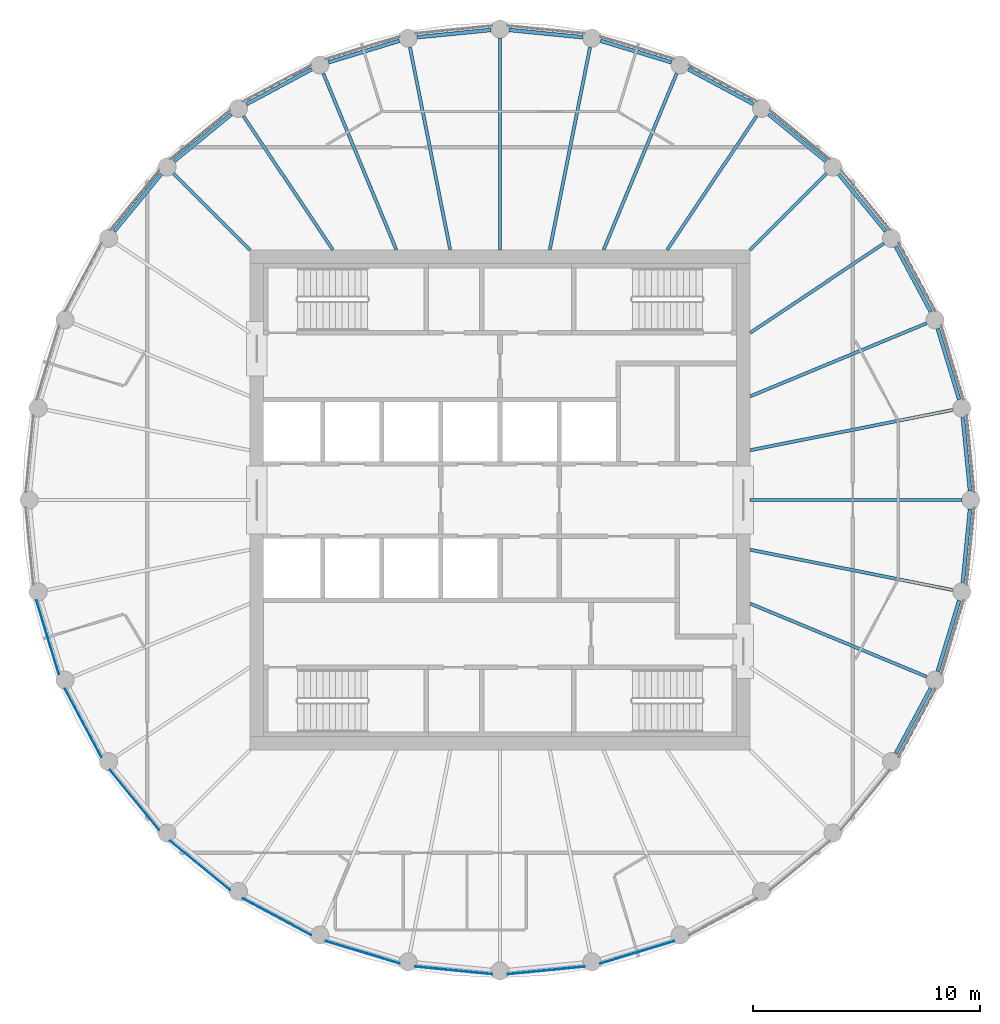
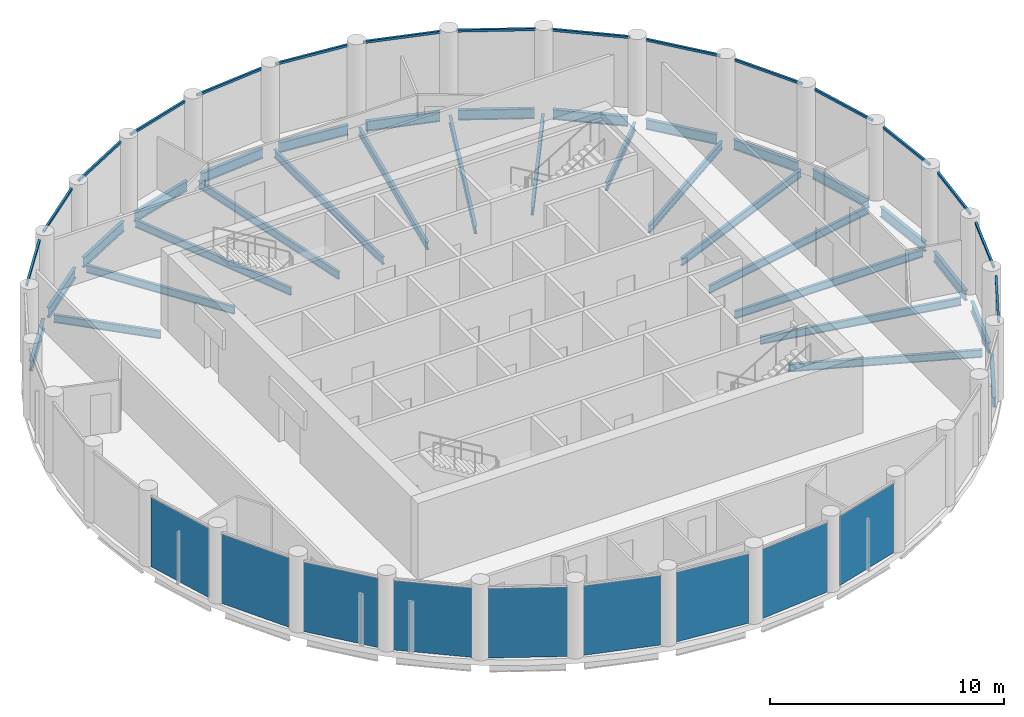
# One storey, part 2 of 7: 31 beams, 16 members, 9 plates, 25 elements without a shape of their own.
"""IFC4 building model written with IfcOpenShell, lengths in metres."""

from ifc_helpers import new_model, si_unit, direction, frame, origin, origin_2d, place, context, subcontext, project, spatial, rectangle, i_section, extrude, material, layer, layer_set, material_profile, profile_set, type_object, element, aggregate, save


model = new_model("IFC4")

# Units and contexts
model_context = context("Model", 3, precision=1e-05, world=origin(), true_north=direction((0.0, 1.0)))
body_context = subcontext(model_context, "Body", "Model", "MODEL_VIEW")
ifc_project = project(units=[si_unit("LENGTHUNIT", "METRE"), si_unit("AREAUNIT", "SQUARE_METRE"), si_unit("VOLUMEUNIT", "CUBIC_METRE"), si_unit("PLANEANGLEUNIT", "RADIAN"), si_unit("MASSUNIT", "GRAM", prefix="KILO")], contexts=[model_context])

# Site, building, storey
site_placement = place(None, origin())
site = spatial("IfcSite", under=ifc_project, at=site_placement, CompositionType="ELEMENT")
building_placement = place(site_placement, origin())
building = spatial("IfcBuilding", under=site, at=building_placement, Name="Corvane Civic Tower", CompositionType="ELEMENT")
storey_placement = place(building_placement, frame((0.0, 0.0, 372.5)))
storey = spatial("IfcBuildingStorey", under=building, at=storey_placement, Name="L89", CompositionType="ELEMENT", Elevation=372.5)

# Beams
ifc_material_1 = material(Name="Steel ASTM A992 Gr 50", Category="steel")
ifc_material_profile_1 = material_profile(ifc_material_1, i_section(OverallWidth=0.165771484375, OverallDepth=0.5283203125, WebThickness=0.009765625, FlangeThickness=0.013671875, at=origin_2d()), Name="W21X50")
ifc_profile_set_1 = profile_set([ifc_material_profile_1], Name="Steel ASTM A992 Gr 50")
beam_type_1 = type_object("IfcBeamType", Name="EDGE BEAM W21X50", PredefinedType="BEAM", material=ifc_profile_set_1)
beam_1_placement = place(storey_placement, frame((0.39794921875, 20.66064453125, -0.564208984375), z_axis=(0.995192503142, -0.097938152369, 0.0), x_axis=(0.097938152369, 0.995192503142, 0.0)))
element("IfcBeam", 1, at=beam_1_placement, inside=storey, type_object=beam_type_1, Name="BM-L89-E01", PredefinedType="BEAM", context=body_context, shape_type="SweptSolid", body=[
    extrude(i_section(OverallWidth=0.165771484375, OverallDepth=0.5283203125, WebThickness=0.009765625, FlangeThickness=0.013671875, at=origin_2d()), origin(), (0.0, 0.0, 1.0), 3.258056640625),
])
for number, where, z_axis, x_axis, name in (
    (2, (4.421142578125, 20.18603515625, -0.564208984375), (0.956955679349, -0.290234091317, 0.0), (0.290234091317, 0.956955679349, 0.0), "BM-L89-E02"),
    (3, (8.2744140625, 18.935791015625, -0.564208984375), (0.881894065907, -0.471447618, 0.0), (0.471447618, 0.881894065907, 0.0), "BM-L89-E03"),
    (4, (11.8095703125, 16.957763671875, -0.564208984375), (0.772984791903, -0.634424551454, 0.0), (0.634424551454, 0.772984791903, 0.0), "BM-L89-E04"),
    (5, (14.890869140625, 14.327880859375, -0.564208984375), (0.634424551454, -0.772984791903, 0.0), (0.772984791903, 0.634424551454, 0.0), "BM-L89-E05"),
    (6, (17.39990234375, 11.1474609375, -0.564208984375), (0.471447618, -0.881894065907, 0.0), (0.881894065907, 0.471447618, 0.0), "BM-L89-E06"),
    (7, (19.240478515625, 7.538818359375, -0.564208984375), (0.290234091317, -0.956955679349, 0.0), (0.956955679349, 0.290234091317, 0.0), "BM-L89-E07"),
):
    element("IfcBeam", number, at=place(storey_placement, frame(where, z_axis=z_axis, x_axis=x_axis)), inside=storey, type_object=beam_type_1, Name=name, PredefinedType="BEAM", context=body_context, shape_type="SweptSolid", body=[
        extrude(i_section(OverallWidth=0.165771484375, OverallDepth=0.5283203125, WebThickness=0.009765625, FlangeThickness=0.013671875, at=origin_2d()), origin(), (0.0, 0.0, 1.0), 3.2578125),
    ])
for number, where, z_axis, x_axis, name in (
    (8, (20.341552734375, 3.640380859375, -0.564208984375), (0.097938152369, -0.995192503142, 0.0), (0.995192503142, 0.097938152369, 0.0), "BM-L89-E08"),
    (9, (20.66064453125, -0.39794921875, -0.564208984375), (-0.097938152369, -0.995192503142, 0.0), (0.995192503142, -0.097938152369, 0.0), "BM-L89-E09"),
):
    element("IfcBeam", number, at=place(storey_placement, frame(where, z_axis=z_axis, x_axis=x_axis)), inside=storey, type_object=beam_type_1, Name=name, PredefinedType="BEAM", context=body_context, shape_type="SweptSolid", body=[
        extrude(i_section(OverallWidth=0.165771484375, OverallDepth=0.5283203125, WebThickness=0.009765625, FlangeThickness=0.013671875, at=origin_2d()), origin(), (0.0, 0.0, 1.0), 3.258056640625),
    ])
for number, where, z_axis, x_axis, name in (
    (10, (20.18603515625, -4.421142578125, -0.564208984375), (-0.290234091317, -0.956955679349, 0.0), (0.956955679349, -0.290234091317, 0.0), "BM-L89-E10"),
    (11, (18.935791015625, -8.2744140625, -0.564208984375), (-0.471447618, -0.881894065907, 0.0), (0.881894065907, -0.471447618, 0.0), "BM-L89-E11"),
    (12, (-16.957763671875, 11.8095703125, -0.564208984375), (0.634424551454, 0.772984791903, 0.0), (-0.772984791903, 0.634424551454, 0.0), "BM-L89-E28"),
    (13, (-14.327880859375, 14.890869140625, -0.564208984375), (0.772984791903, 0.634424551454, 0.0), (-0.634424551454, 0.772984791903, 0.0), "BM-L89-E29"),
    (14, (-11.1474609375, 17.39990234375, -0.564208984375), (0.881894065907, 0.471447618, 0.0), (-0.471447618, 0.881894065907, 0.0), "BM-L89-E30"),
    (15, (-7.538818359375, 19.240478515625, -0.564208984375), (0.956955679349, 0.290234091317, 0.0), (-0.290234091317, 0.956955679349, 0.0), "BM-L89-E31"),
):
    element("IfcBeam", number, at=place(storey_placement, frame(where, z_axis=z_axis, x_axis=x_axis)), inside=storey, type_object=beam_type_1, Name=name, PredefinedType="BEAM", context=body_context, shape_type="SweptSolid", body=[
        extrude(i_section(OverallWidth=0.165771484375, OverallDepth=0.5283203125, WebThickness=0.009765625, FlangeThickness=0.013671875, at=origin_2d()), origin(), (0.0, 0.0, 1.0), 3.2578125),
    ])
beam_2_placement = place(storey_placement, frame((-3.640380859375, 20.341552734375, -0.564208984375), z_axis=(0.995192503142, 0.097938152369, 0.0), x_axis=(-0.097938152369, 0.995192503142, 0.0)))
element("IfcBeam", 16, at=beam_2_placement, inside=storey, type_object=beam_type_1, Name="BM-L89-E32", PredefinedType="BEAM", context=body_context, shape_type="SweptSolid", body=[
    extrude(i_section(OverallWidth=0.165771484375, OverallDepth=0.5283203125, WebThickness=0.009765625, FlangeThickness=0.013671875, at=origin_2d()), origin(), (0.0, 0.0, 1.0), 3.258056640625),
])
ifc_material_2 = material(Name="Steel ASTM A992 Gr 50", Category="steel")
ifc_material_profile_2 = material_profile(ifc_material_2, i_section(OverallWidth=0.140380859375, OverallDepth=0.40380859375, WebThickness=0.007080078125, FlangeThickness=0.01123046875, at=origin_2d()), Name="W16X31")
ifc_profile_set_2 = profile_set([ifc_material_profile_2], Name="Steel ASTM A992 Gr 50")
beam_type_2 = type_object("IfcBeamType", Name="FLOOR GIRDER W16X31", PredefinedType="BEAM", material=ifc_profile_set_2)
beam_3_placement = place(storey_placement, frame((0.0, 11.0, -0.501953125), z_axis=(0.0, 1.0, 0.0), x_axis=(-1.0, 0.0, 0.0)))
element("IfcBeam", 17, at=beam_3_placement, inside=storey, type_object=beam_type_2, Name="BM-L89-G01", PredefinedType="BEAM", context=body_context, shape_type="SweptSolid", body=[
    extrude(i_section(OverallWidth=0.140380859375, OverallDepth=0.40380859375, WebThickness=0.007080078125, FlangeThickness=0.01123046875, at=origin_2d()), origin(), (0.0, 0.0, 1.0), 9.300048828125),
])
beam_4_placement = place(storey_placement, frame((2.18798828125, 11.0, -0.501953125), z_axis=(0.195108241061, 0.980781715913, 0.0), x_axis=(-0.980781715913, 0.195108241061, 0.0)))
element("IfcBeam", 18, at=beam_4_placement, inside=storey, type_object=beam_type_2, Name="BM-L89-G02", PredefinedType="BEAM", context=body_context, shape_type="SweptSolid", body=[
    extrude(i_section(OverallWidth=0.140380859375, OverallDepth=0.40380859375, WebThickness=0.007080078125, FlangeThickness=0.01123046875, at=origin_2d()), origin(), (0.0, 0.0, 1.0), 9.08447265625),
])
beam_5_placement = place(storey_placement, frame((4.556396484375, 11.0, -0.501953125), z_axis=(0.382691739894, 0.923876091377, 0.0), x_axis=(-0.923876091377, 0.382691739894, 0.0)))
element("IfcBeam", 19, at=beam_5_placement, inside=storey, type_object=beam_type_2, Name="BM-L89-G03", PredefinedType="BEAM", context=body_context, shape_type="SweptSolid", body=[
    extrude(i_section(OverallWidth=0.140380859375, OverallDepth=0.40380859375, WebThickness=0.007080078125, FlangeThickness=0.01123046875, at=origin_2d()), origin(), (0.0, 0.0, 1.0), 8.3935546875),
])
beam_6_placement = place(storey_placement, frame((7.349853515625, 11.0, -0.501953125), z_axis=(0.555576401385, 0.831465490699, 0.0), x_axis=(-0.831465490699, 0.555576401385, 0.0)))
element("IfcBeam", 20, at=beam_6_placement, inside=storey, type_object=beam_type_2, Name="BM-L89-G04", PredefinedType="BEAM", context=body_context, shape_type="SweptSolid", body=[
    extrude(i_section(OverallWidth=0.140380859375, OverallDepth=0.40380859375, WebThickness=0.007080078125, FlangeThickness=0.01123046875, at=origin_2d()), origin(), (0.0, 0.0, 1.0), 7.070556640625),
])
beam_7_placement = place(storey_placement, frame((11.0, 11.0, -0.501953125), z_axis=(0.707106781187, 0.707106781187, 0.0), x_axis=(-0.707106781187, 0.707106781187, 0.0)))
element("IfcBeam", 21, at=beam_7_placement, inside=storey, type_object=beam_type_2, Name="BM-L89-G05", PredefinedType="BEAM", context=body_context, shape_type="SweptSolid", body=[
    extrude(i_section(OverallWidth=0.140380859375, OverallDepth=0.40380859375, WebThickness=0.007080078125, FlangeThickness=0.01123046875, at=origin_2d()), origin(), (0.0, 0.0, 1.0), 4.74365234375),
])
beam_8_placement = place(storey_placement, frame((11.0, 7.349853515625, -0.501953125), z_axis=(0.831465490699, 0.555576401385, 0.0), x_axis=(-0.555576401385, 0.831465490699, 0.0)))
element("IfcBeam", 22, at=beam_8_placement, inside=storey, type_object=beam_type_2, Name="BM-L89-G06", PredefinedType="BEAM", context=body_context, shape_type="SweptSolid", body=[
    extrude(i_section(OverallWidth=0.140380859375, OverallDepth=0.40380859375, WebThickness=0.007080078125, FlangeThickness=0.01123046875, at=origin_2d()), origin(), (0.0, 0.0, 1.0), 7.070556640625),
])
beam_9_placement = place(storey_placement, frame((11.0, 4.556396484375, -0.501953125), z_axis=(0.923876091377, 0.382691739894, 0.0), x_axis=(-0.382691739894, 0.923876091377, 0.0)))
element("IfcBeam", 23, at=beam_9_placement, inside=storey, type_object=beam_type_2, Name="BM-L89-G07", PredefinedType="BEAM", context=body_context, shape_type="SweptSolid", body=[
    extrude(i_section(OverallWidth=0.140380859375, OverallDepth=0.40380859375, WebThickness=0.007080078125, FlangeThickness=0.01123046875, at=origin_2d()), origin(), (0.0, 0.0, 1.0), 8.3935546875),
])
beam_10_placement = place(storey_placement, frame((11.0, 2.18798828125, -0.501953125), z_axis=(0.980781715913, 0.195108241061, 0.0), x_axis=(-0.195108241061, 0.980781715913, 0.0)))
element("IfcBeam", 24, at=beam_10_placement, inside=storey, type_object=beam_type_2, Name="BM-L89-G08", PredefinedType="BEAM", context=body_context, shape_type="SweptSolid", body=[
    extrude(i_section(OverallWidth=0.140380859375, OverallDepth=0.40380859375, WebThickness=0.007080078125, FlangeThickness=0.01123046875, at=origin_2d()), origin(), (0.0, 0.0, 1.0), 9.08447265625),
])
beam_11_placement = place(storey_placement, frame((11.0, 0.0, -0.501953125), z_axis=(1.0, 0.0, 0.0), x_axis=(0.0, 1.0, 0.0)))
element("IfcBeam", 25, at=beam_11_placement, inside=storey, type_object=beam_type_2, Name="BM-L89-G09", PredefinedType="BEAM", context=body_context, shape_type="SweptSolid", body=[
    extrude(i_section(OverallWidth=0.140380859375, OverallDepth=0.40380859375, WebThickness=0.007080078125, FlangeThickness=0.01123046875, at=origin_2d()), origin(), (0.0, 0.0, 1.0), 9.300048828125),
])
beam_12_placement = place(storey_placement, frame((11.0, -2.18798828125, -0.501953125), z_axis=(0.980781715913, -0.195108241061, 0.0), x_axis=(0.195108241061, 0.980781715913, 0.0)))
element("IfcBeam", 26, at=beam_12_placement, inside=storey, type_object=beam_type_2, Name="BM-L89-G10", PredefinedType="BEAM", context=body_context, shape_type="SweptSolid", body=[
    extrude(i_section(OverallWidth=0.140380859375, OverallDepth=0.40380859375, WebThickness=0.007080078125, FlangeThickness=0.01123046875, at=origin_2d()), origin(), (0.0, 0.0, 1.0), 9.08447265625),
])
beam_13_placement = place(storey_placement, frame((11.0, -4.556396484375, -0.501953125), z_axis=(0.923876091377, -0.382691739894, 0.0), x_axis=(0.382691739894, 0.923876091377, 0.0)))
element("IfcBeam", 27, at=beam_13_placement, inside=storey, type_object=beam_type_2, Name="BM-L89-G11", PredefinedType="BEAM", context=body_context, shape_type="SweptSolid", body=[
    extrude(i_section(OverallWidth=0.140380859375, OverallDepth=0.40380859375, WebThickness=0.007080078125, FlangeThickness=0.01123046875, at=origin_2d()), origin(), (0.0, 0.0, 1.0), 8.3935546875),
])
beam_14_placement = place(storey_placement, frame((-11.0, 11.0, -0.501953125), z_axis=(-0.707106781187, 0.707106781187, 0.0), x_axis=(-0.707106781187, -0.707106781187, 0.0)))
element("IfcBeam", 28, at=beam_14_placement, inside=storey, type_object=beam_type_2, Name="BM-L89-G29", PredefinedType="BEAM", context=body_context, shape_type="SweptSolid", body=[
    extrude(i_section(OverallWidth=0.140380859375, OverallDepth=0.40380859375, WebThickness=0.007080078125, FlangeThickness=0.01123046875, at=origin_2d()), origin(), (0.0, 0.0, 1.0), 4.74365234375),
])
beam_15_placement = place(storey_placement, frame((-7.349853515625, 11.0, -0.501953125), z_axis=(-0.555576401385, 0.831465490699, 0.0), x_axis=(-0.831465490699, -0.555576401385, 0.0)))
element("IfcBeam", 29, at=beam_15_placement, inside=storey, type_object=beam_type_2, Name="BM-L89-G30", PredefinedType="BEAM", context=body_context, shape_type="SweptSolid", body=[
    extrude(i_section(OverallWidth=0.140380859375, OverallDepth=0.40380859375, WebThickness=0.007080078125, FlangeThickness=0.01123046875, at=origin_2d()), origin(), (0.0, 0.0, 1.0), 7.070556640625),
])
beam_16_placement = place(storey_placement, frame((-4.556396484375, 11.0, -0.501953125), z_axis=(-0.382691739894, 0.923876091377, 0.0), x_axis=(-0.923876091377, -0.382691739894, 0.0)))
element("IfcBeam", 30, at=beam_16_placement, inside=storey, type_object=beam_type_2, Name="BM-L89-G31", PredefinedType="BEAM", context=body_context, shape_type="SweptSolid", body=[
    extrude(i_section(OverallWidth=0.140380859375, OverallDepth=0.40380859375, WebThickness=0.007080078125, FlangeThickness=0.01123046875, at=origin_2d()), origin(), (0.0, 0.0, 1.0), 8.3935546875),
])
beam_17_placement = place(storey_placement, frame((-2.18798828125, 11.0, -0.501953125), z_axis=(-0.195108241061, 0.980781715913, 0.0), x_axis=(-0.980781715913, -0.195108241061, 0.0)))
element("IfcBeam", 31, at=beam_17_placement, inside=storey, type_object=beam_type_2, Name="BM-L89-G32", PredefinedType="BEAM", context=body_context, shape_type="SweptSolid", body=[
    extrude(i_section(OverallWidth=0.140380859375, OverallDepth=0.40380859375, WebThickness=0.007080078125, FlangeThickness=0.01123046875, at=origin_2d()), origin(), (0.0, 0.0, 1.0), 9.08447265625),
])

# Curtain wall, member
ifc_material_3 = material(Name="Anodised aluminium bronze", Category="aluminium")
curtain_wall_type = type_object("IfcCurtainWallType", Name="TOWER CW-T3 STICK CURTAIN WALL", PredefinedType="NOTDEFINED", material=ifc_material_3)
curtain_wall_1_placement = place(storey_placement, origin())
curtain_wall_1 = element("IfcCurtainWall", 32, at=curtain_wall_1_placement, inside=storey, type_object=curtain_wall_type, Name="Curtain wall CW-T3 L89 bay 01", PredefinedType="NOTDEFINED")
ifc_material_4 = material(Name="Anodised aluminium bronze", Category="aluminium")
ifc_material_profile_3 = material_profile(ifc_material_4, rectangle(XDim=0.10009765625, YDim=0.1201171875, at=origin_2d()), Name="TOWER CW-T3 TRANSOM 100x120")
ifc_profile_set_3 = profile_set([ifc_material_profile_3], Name="Anodised aluminium bronze")
member_type = type_object("IfcMemberType", Name="TOWER CW-T3 TRANSOM 100x120", PredefinedType="USERDEFINED", material=ifc_profile_set_3)
member_1_placement = place(storey_placement, frame((0.34375, 20.845947265625, 3.68994140625), z_axis=(0.995191564676, -0.097947688066, 0.0), x_axis=(0.097947688066, 0.995191564676, 0.0)))
member_1 = element("IfcMember", 33, at=member_1_placement, type_object=member_type, Name="Transom CW-T3 L89 01.1", ObjectType="TRANSOM", PredefinedType="USERDEFINED", context=body_context, shape_type="SweptSolid", body=[
    extrude(rectangle(XDim=0.10009765625, YDim=0.1201171875, at=origin_2d()), origin(), (0.0, 0.0, 1.0), 3.40234375),
])
aggregate(curtain_wall_1, [member_1])

curtain_wall_2_placement = place(storey_placement, origin())
curtain_wall_2 = element("IfcCurtainWall", 34, at=curtain_wall_2_placement, inside=storey, type_object=curtain_wall_type, Name="Curtain wall CW-T3 L89 bay 02", PredefinedType="NOTDEFINED")
member_2_placement = place(storey_placement, frame((4.40380859375, 20.37841796875, 3.68994140625), z_axis=(0.956961022204, -0.290216474345, 0.0), x_axis=(0.290216474345, 0.956961022204, 0.0)))
member_2 = element("IfcMember", 35, at=member_2_placement, type_object=member_type, Name="Transom CW-T3 L89 02.1", ObjectType="TRANSOM", PredefinedType="USERDEFINED", context=body_context, shape_type="SweptSolid", body=[
    extrude(rectangle(XDim=0.10009765625, YDim=0.1201171875, at=origin_2d()), origin(), (0.0, 0.0, 1.0), 3.40283203125),
])
aggregate(curtain_wall_2, [member_2])

curtain_wall_3_placement = place(storey_placement, origin())
curtain_wall_3 = element("IfcCurtainWall", 36, at=curtain_wall_3_placement, inside=storey, type_object=curtain_wall_type, Name="Curtain wall CW-T3 L89 bay 03", PredefinedType="NOTDEFINED")
member_3_placement = place(storey_placement, frame((8.294921875, 19.127685546875, 3.68994140625), z_axis=(0.881941440444, -0.471358988063, 0.0), x_axis=(0.471358988063, 0.881941440444, 0.0)))
member_3 = element("IfcMember", 37, at=member_3_placement, type_object=member_type, Name="Transom CW-T3 L89 03.1", ObjectType="TRANSOM", PredefinedType="USERDEFINED", context=body_context, shape_type="SweptSolid", body=[
    extrude(rectangle(XDim=0.10009765625, YDim=0.1201171875, at=origin_2d()), origin(), (0.0, 0.0, 1.0), 3.40234375),
])
aggregate(curtain_wall_3, [member_3])

curtain_wall_4_placement = place(storey_placement, origin())
curtain_wall_4 = element("IfcCurtainWall", 38, at=curtain_wall_4_placement, inside=storey, type_object=curtain_wall_type, Name="Curtain wall CW-T3 L89 bay 04", PredefinedType="NOTDEFINED")
member_4_placement = place(storey_placement, frame((11.8671875, 17.14208984375, 3.68994140625), z_axis=(0.773010217358, -0.634393571736, 0.0), x_axis=(0.634393571736, 0.773010217358, 0.0)))
member_4 = element("IfcMember", 39, at=member_4_placement, type_object=member_type, Name="Transom CW-T3 L89 04.1", ObjectType="TRANSOM", PredefinedType="USERDEFINED", context=body_context, shape_type="SweptSolid", body=[
    extrude(rectangle(XDim=0.10009765625, YDim=0.1201171875, at=origin_2d()), origin(), (0.0, 0.0, 1.0), 3.40283203125),
])
aggregate(curtain_wall_4, [member_4])

curtain_wall_5_placement = place(storey_placement, origin())
curtain_wall_5 = element("IfcCurtainWall", 40, at=curtain_wall_5_placement, inside=storey, type_object=curtain_wall_type, Name="Curtain wall CW-T3 L89 bay 05", PredefinedType="NOTDEFINED")
member_5_placement = place(storey_placement, frame((14.9833984375, 14.49755859375, 3.68994140625), z_axis=(0.634393571736, -0.773010217358, 0.0), x_axis=(0.773010217358, 0.634393571736, 0.0)))
member_5 = element("IfcMember", 41, at=member_5_placement, type_object=member_type, Name="Transom CW-T3 L89 05.1", ObjectType="TRANSOM", PredefinedType="USERDEFINED", context=body_context, shape_type="SweptSolid", body=[
    extrude(rectangle(XDim=0.10009765625, YDim=0.1201171875, at=origin_2d()), origin(), (0.0, 0.0, 1.0), 3.40283203125),
])
aggregate(curtain_wall_5, [member_5])

curtain_wall_6_placement = place(storey_placement, origin())
curtain_wall_6 = element("IfcCurtainWall", 42, at=curtain_wall_6_placement, inside=storey, type_object=curtain_wall_type, Name="Curtain wall CW-T3 L89 bay 06", PredefinedType="NOTDEFINED")
member_6_placement = place(storey_placement, frame((17.52392578125, 11.295654296875, 3.68994140625), z_axis=(0.471358988063, -0.881941440444, 0.0), x_axis=(0.881941440444, 0.471358988063, 0.0)))
member_6 = element("IfcMember", 43, at=member_6_placement, type_object=member_type, Name="Transom CW-T3 L89 06.1", ObjectType="TRANSOM", PredefinedType="USERDEFINED", context=body_context, shape_type="SweptSolid", body=[
    extrude(rectangle(XDim=0.10009765625, YDim=0.1201171875, at=origin_2d()), origin(), (0.0, 0.0, 1.0), 3.40234375),
])
aggregate(curtain_wall_6, [member_6])

curtain_wall_7_placement = place(storey_placement, origin())
curtain_wall_7 = element("IfcCurtainWall", 44, at=curtain_wall_7_placement, inside=storey, type_object=curtain_wall_type, Name="Curtain wall CW-T3 L89 bay 07", PredefinedType="NOTDEFINED")
member_7_placement = place(storey_placement, frame((19.390869140625, 7.66015625, 3.68994140625), z_axis=(0.290216474345, -0.956961022204, 0.0), x_axis=(0.956961022204, 0.290216474345, 0.0)))
member_7 = element("IfcMember", 45, at=member_7_placement, type_object=member_type, Name="Transom CW-T3 L89 07.1", ObjectType="TRANSOM", PredefinedType="USERDEFINED", context=body_context, shape_type="SweptSolid", body=[
    extrude(rectangle(XDim=0.10009765625, YDim=0.1201171875, at=origin_2d()), origin(), (0.0, 0.0, 1.0), 3.40283203125),
])
aggregate(curtain_wall_7, [member_7])

curtain_wall_8_placement = place(storey_placement, origin())
curtain_wall_8 = element("IfcCurtainWall", 46, at=curtain_wall_8_placement, inside=storey, type_object=curtain_wall_type, Name="Curtain wall CW-T3 L89 bay 08", PredefinedType="NOTDEFINED")
member_8_placement = place(storey_placement, frame((20.5126953125, 3.729736328125, 3.68994140625), z_axis=(0.097947688066, -0.995191564676, 0.0), x_axis=(0.995191564676, 0.097947688066, 0.0)))
member_8 = element("IfcMember", 47, at=member_8_placement, type_object=member_type, Name="Transom CW-T3 L89 08.1", ObjectType="TRANSOM", PredefinedType="USERDEFINED", context=body_context, shape_type="SweptSolid", body=[
    extrude(rectangle(XDim=0.10009765625, YDim=0.1201171875, at=origin_2d()), origin(), (0.0, 0.0, 1.0), 3.40234375),
])
aggregate(curtain_wall_8, [member_8])

curtain_wall_9_placement = place(storey_placement, origin())
curtain_wall_9 = element("IfcCurtainWall", 48, at=curtain_wall_9_placement, inside=storey, type_object=curtain_wall_type, Name="Curtain wall CW-T3 L89 bay 09", PredefinedType="NOTDEFINED")
member_9_placement = place(storey_placement, frame((20.845947265625, -0.34375, 3.68994140625), z_axis=(-0.097947688066, -0.995191564676, 0.0), x_axis=(0.995191564676, -0.097947688066, 0.0)))
member_9 = element("IfcMember", 49, at=member_9_placement, type_object=member_type, Name="Transom CW-T3 L89 09.1", ObjectType="TRANSOM", PredefinedType="USERDEFINED", context=body_context, shape_type="SweptSolid", body=[
    extrude(rectangle(XDim=0.10009765625, YDim=0.1201171875, at=origin_2d()), origin(), (0.0, 0.0, 1.0), 3.40234375),
])
aggregate(curtain_wall_9, [member_9])

curtain_wall_10_placement = place(storey_placement, origin())
curtain_wall_10 = element("IfcCurtainWall", 50, at=curtain_wall_10_placement, inside=storey, type_object=curtain_wall_type, Name="Curtain wall CW-T3 L89 bay 10", PredefinedType="NOTDEFINED")
member_10_placement = place(storey_placement, frame((20.37841796875, -4.40380859375, 3.68994140625), z_axis=(-0.290216474345, -0.956961022204, 0.0), x_axis=(0.956961022204, -0.290216474345, 0.0)))
member_10 = element("IfcMember", 51, at=member_10_placement, type_object=member_type, Name="Transom CW-T3 L89 10.1", ObjectType="TRANSOM", PredefinedType="USERDEFINED", context=body_context, shape_type="SweptSolid", body=[
    extrude(rectangle(XDim=0.10009765625, YDim=0.1201171875, at=origin_2d()), origin(), (0.0, 0.0, 1.0), 3.40283203125),
])
aggregate(curtain_wall_10, [member_10])

curtain_wall_11_placement = place(storey_placement, origin())
curtain_wall_11 = element("IfcCurtainWall", 52, at=curtain_wall_11_placement, inside=storey, type_object=curtain_wall_type, Name="Curtain wall CW-T3 L89 bay 11", PredefinedType="NOTDEFINED")
member_11_placement = place(storey_placement, frame((19.127685546875, -8.294921875, 3.68994140625), z_axis=(-0.471358988063, -0.881941440444, 0.0), x_axis=(0.881941440444, -0.471358988063, 0.0)))
member_11 = element("IfcMember", 53, at=member_11_placement, type_object=member_type, Name="Transom CW-T3 L89 11.1", ObjectType="TRANSOM", PredefinedType="USERDEFINED", context=body_context, shape_type="SweptSolid", body=[
    extrude(rectangle(XDim=0.10009765625, YDim=0.1201171875, at=origin_2d()), origin(), (0.0, 0.0, 1.0), 3.40234375),
])
aggregate(curtain_wall_11, [member_11])

curtain_wall_12_placement = place(storey_placement, origin())
curtain_wall_12 = element("IfcCurtainWall", 54, at=curtain_wall_12_placement, inside=storey, type_object=curtain_wall_type, Name="Curtain wall CW-T3 L89 bay 28", PredefinedType="NOTDEFINED")
member_12_placement = place(storey_placement, frame((-17.14208984375, 11.8671875, 3.68994140625), z_axis=(0.634393571736, 0.773010217358, 0.0), x_axis=(-0.773010217358, 0.634393571736, 0.0)))
member_12 = element("IfcMember", 55, at=member_12_placement, type_object=member_type, Name="Transom CW-T3 L89 28.1", ObjectType="TRANSOM", PredefinedType="USERDEFINED", context=body_context, shape_type="SweptSolid", body=[
    extrude(rectangle(XDim=0.10009765625, YDim=0.1201171875, at=origin_2d()), origin(), (0.0, 0.0, 1.0), 3.40283203125),
])
aggregate(curtain_wall_12, [member_12])

curtain_wall_13_placement = place(storey_placement, origin())
curtain_wall_13 = element("IfcCurtainWall", 56, at=curtain_wall_13_placement, inside=storey, type_object=curtain_wall_type, Name="Curtain wall CW-T3 L89 bay 29", PredefinedType="NOTDEFINED")
member_13_placement = place(storey_placement, frame((-14.49755859375, 14.9833984375, 3.68994140625), z_axis=(0.773010217358, 0.634393571736, 0.0), x_axis=(-0.634393571736, 0.773010217358, 0.0)))
member_13 = element("IfcMember", 57, at=member_13_placement, type_object=member_type, Name="Transom CW-T3 L89 29.1", ObjectType="TRANSOM", PredefinedType="USERDEFINED", context=body_context, shape_type="SweptSolid", body=[
    extrude(rectangle(XDim=0.10009765625, YDim=0.1201171875, at=origin_2d()), origin(), (0.0, 0.0, 1.0), 3.40283203125),
])
aggregate(curtain_wall_13, [member_13])

curtain_wall_14_placement = place(storey_placement, origin())
curtain_wall_14 = element("IfcCurtainWall", 58, at=curtain_wall_14_placement, inside=storey, type_object=curtain_wall_type, Name="Curtain wall CW-T3 L89 bay 30", PredefinedType="NOTDEFINED")
member_14_placement = place(storey_placement, frame((-11.295654296875, 17.52392578125, 3.68994140625), z_axis=(0.881941440444, 0.471358988063, 0.0), x_axis=(-0.471358988063, 0.881941440444, 0.0)))
member_14 = element("IfcMember", 59, at=member_14_placement, type_object=member_type, Name="Transom CW-T3 L89 30.1", ObjectType="TRANSOM", PredefinedType="USERDEFINED", context=body_context, shape_type="SweptSolid", body=[
    extrude(rectangle(XDim=0.10009765625, YDim=0.1201171875, at=origin_2d()), origin(), (0.0, 0.0, 1.0), 3.40234375),
])
aggregate(curtain_wall_14, [member_14])

curtain_wall_15_placement = place(storey_placement, origin())
curtain_wall_15 = element("IfcCurtainWall", 60, at=curtain_wall_15_placement, inside=storey, type_object=curtain_wall_type, Name="Curtain wall CW-T3 L89 bay 31", PredefinedType="NOTDEFINED")
member_15_placement = place(storey_placement, frame((-7.66015625, 19.390869140625, 3.68994140625), z_axis=(0.956961022204, 0.290216474345, 0.0), x_axis=(-0.290216474345, 0.956961022204, 0.0)))
member_15 = element("IfcMember", 61, at=member_15_placement, type_object=member_type, Name="Transom CW-T3 L89 31.1", ObjectType="TRANSOM", PredefinedType="USERDEFINED", context=body_context, shape_type="SweptSolid", body=[
    extrude(rectangle(XDim=0.10009765625, YDim=0.1201171875, at=origin_2d()), origin(), (0.0, 0.0, 1.0), 3.40283203125),
])
aggregate(curtain_wall_15, [member_15])

curtain_wall_16_placement = place(storey_placement, origin())
curtain_wall_16 = element("IfcCurtainWall", 62, at=curtain_wall_16_placement, inside=storey, type_object=curtain_wall_type, Name="Curtain wall CW-T3 L89 bay 32", PredefinedType="NOTDEFINED")
member_16_placement = place(storey_placement, frame((-3.729736328125, 20.5126953125, 3.68994140625), z_axis=(0.995191564676, 0.097947688066, 0.0), x_axis=(-0.097947688066, 0.995191564676, 0.0)))
member_16 = element("IfcMember", 63, at=member_16_placement, type_object=member_type, Name="Transom CW-T3 L89 32.1", ObjectType="TRANSOM", PredefinedType="USERDEFINED", context=body_context, shape_type="SweptSolid", body=[
    extrude(rectangle(XDim=0.10009765625, YDim=0.1201171875, at=origin_2d()), origin(), (0.0, 0.0, 1.0), 3.40234375),
])
aggregate(curtain_wall_16, [member_16])

# Curtain wall, plate
curtain_wall_17_placement = place(storey_placement, origin())
curtain_wall_17 = element("IfcCurtainWall", 64, at=curtain_wall_17_placement, inside=storey, type_object=curtain_wall_type, Name="Curtain wall CW-T3 L89 bay 15", PredefinedType="NOTDEFINED")
ifc_material_5 = material(Name="Tinted glass", Category="glass")
ifc_layer = layer(ifc_material_5, 0.028076171875)
ifc_layer_set = layer_set([ifc_layer], Name="Tinted glass")
plate_type = type_object("IfcPlateType", Name="TOWER CW-T3 PANEL IGU28", PredefinedType="CURTAIN_PANEL", material=ifc_layer_set)
plate_1_placement = place(storey_placement, frame((6.031982421875, -19.884765625, 0.0), z_axis=(0.0, 0.0, 1.0), x_axis=(-0.956938582641, -0.290290456359, 0.0)))
plate_1 = element("IfcPlate", 65, at=plate_1_placement, type_object=plate_type, Name="Glass panel CW-T3 L89 15.1", PredefinedType="CURTAIN_PANEL", context=body_context, shape_type="SweptSolid", body=[
    extrude(rectangle(XDim=3.40283203125, YDim=0.028076171875, at=origin_2d()), origin(), (0.0, 0.0, 1.0), 3.6298828125),
])
aggregate(curtain_wall_17, [plate_1])

curtain_wall_18_placement = place(storey_placement, origin())
curtain_wall_18 = element("IfcCurtainWall", 66, at=curtain_wall_18_placement, inside=storey, type_object=curtain_wall_type, Name="Curtain wall CW-T3 L89 bay 16", PredefinedType="NOTDEFINED")
plate_2_placement = place(storey_placement, frame((2.03662109375, -20.679443359375, 0.0), z_axis=(0.0, 0.0, 1.0), x_axis=(-0.995186641028, -0.097997701601, 0.0)))
plate_2 = element("IfcPlate", 67, at=plate_2_placement, type_object=plate_type, Name="Glass panel CW-T3 L89 16.1", PredefinedType="CURTAIN_PANEL", context=body_context, shape_type="SweptSolid", body=[
    extrude(rectangle(XDim=3.402587890625, YDim=0.028076171875, at=origin_2d()), origin(), (0.0, 0.0, 1.0), 3.6298828125),
])
aggregate(curtain_wall_18, [plate_2])

curtain_wall_19_placement = place(storey_placement, origin())
curtain_wall_19 = element("IfcCurtainWall", 68, at=curtain_wall_19_placement, inside=storey, type_object=curtain_wall_type, Name="Curtain wall CW-T3 L89 bay 17", PredefinedType="NOTDEFINED")
plate_3_placement = place(storey_placement, frame((-2.03662109375, -20.679443359375, 0.0), z_axis=(0.0, 0.0, 1.0), x_axis=(-0.995186641028, 0.097997701601, 0.0)))
plate_3 = element("IfcPlate", 69, at=plate_3_placement, type_object=plate_type, Name="Glass panel CW-T3 L89 17.1", PredefinedType="CURTAIN_PANEL", context=body_context, shape_type="SweptSolid", body=[
    extrude(rectangle(XDim=3.402587890625, YDim=0.028076171875, at=origin_2d()), origin(), (0.0, 0.0, 1.0), 3.6298828125),
])
aggregate(curtain_wall_19, [plate_3])

curtain_wall_20_placement = place(storey_placement, origin())
curtain_wall_20 = element("IfcCurtainWall", 70, at=curtain_wall_20_placement, inside=storey, type_object=curtain_wall_type, Name="Curtain wall CW-T3 L89 bay 18", PredefinedType="NOTDEFINED")
plate_4_placement = place(storey_placement, frame((-6.031982421875, -19.884765625, 0.0), z_axis=(0.0, 0.0, 1.0), x_axis=(-0.956938582641, 0.290290456359, 0.0)))
plate_4 = element("IfcPlate", 71, at=plate_4_placement, type_object=plate_type, Name="Glass panel CW-T3 L89 18.1", PredefinedType="CURTAIN_PANEL", context=body_context, shape_type="SweptSolid", body=[
    extrude(rectangle(XDim=3.40283203125, YDim=0.028076171875, at=origin_2d()), origin(), (0.0, 0.0, 1.0), 3.6298828125),
])
aggregate(curtain_wall_20, [plate_4])

curtain_wall_21_placement = place(storey_placement, origin())
curtain_wall_21 = element("IfcCurtainWall", 72, at=curtain_wall_21_placement, inside=storey, type_object=curtain_wall_type, Name="Curtain wall CW-T3 L89 bay 19", PredefinedType="NOTDEFINED")
plate_5_placement = place(storey_placement, frame((-9.79541015625, -18.325927734375, 0.0), z_axis=(0.0, 0.0, 1.0), x_axis=(-0.88192824848, 0.471383670202, 0.0)))
plate_5 = element("IfcPlate", 73, at=plate_5_placement, type_object=plate_type, Name="Glass panel CW-T3 L89 19.1", PredefinedType="CURTAIN_PANEL", context=body_context, shape_type="SweptSolid", body=[
    extrude(rectangle(XDim=3.40234375, YDim=0.028076171875, at=origin_2d()), origin(), (0.0, 0.0, 1.0), 3.6298828125),
])
aggregate(curtain_wall_21, [plate_5])

curtain_wall_22_placement = place(storey_placement, origin())
curtain_wall_22 = element("IfcCurtainWall", 74, at=curtain_wall_22_placement, inside=storey, type_object=curtain_wall_type, Name="Curtain wall CW-T3 L89 bay 20", PredefinedType="NOTDEFINED")
plate_6_placement = place(storey_placement, frame((-13.182373046875, -16.062744140625, 0.0), z_axis=(0.0, 0.0, 1.0), x_axis=(-0.773010369391, 0.634393386484, 0.0)))
plate_6 = element("IfcPlate", 75, at=plate_6_placement, type_object=plate_type, Name="Glass panel CW-T3 L89 20.1", PredefinedType="CURTAIN_PANEL", context=body_context, shape_type="SweptSolid", body=[
    extrude(rectangle(XDim=3.402587890625, YDim=0.028076171875, at=origin_2d()), origin(), (0.0, 0.0, 1.0), 3.6298828125),
])
aggregate(curtain_wall_22, [plate_6])

curtain_wall_23_placement = place(storey_placement, origin())
curtain_wall_23 = element("IfcCurtainWall", 76, at=curtain_wall_23_placement, inside=storey, type_object=curtain_wall_type, Name="Curtain wall CW-T3 L89 bay 21", PredefinedType="NOTDEFINED")
plate_7_placement = place(storey_placement, frame((-16.062744140625, -13.182373046875, 0.0), z_axis=(0.0, 0.0, 1.0), x_axis=(-0.634393386484, 0.773010369391, 0.0)))
plate_7 = element("IfcPlate", 77, at=plate_7_placement, type_object=plate_type, Name="Glass panel CW-T3 L89 21.1", PredefinedType="CURTAIN_PANEL", context=body_context, shape_type="SweptSolid", body=[
    extrude(rectangle(XDim=3.402587890625, YDim=0.028076171875, at=origin_2d()), origin(), (0.0, 0.0, 1.0), 3.6298828125),
])
aggregate(curtain_wall_23, [plate_7])

curtain_wall_24_placement = place(storey_placement, origin())
curtain_wall_24 = element("IfcCurtainWall", 78, at=curtain_wall_24_placement, inside=storey, type_object=curtain_wall_type, Name="Curtain wall CW-T3 L89 bay 22", PredefinedType="NOTDEFINED")
plate_8_placement = place(storey_placement, frame((-18.325927734375, -9.79541015625, 0.0), z_axis=(0.0, 0.0, 1.0), x_axis=(-0.471383670202, 0.88192824848, 0.0)))
plate_8 = element("IfcPlate", 79, at=plate_8_placement, type_object=plate_type, Name="Glass panel CW-T3 L89 22.1", PredefinedType="CURTAIN_PANEL", context=body_context, shape_type="SweptSolid", body=[
    extrude(rectangle(XDim=3.40234375, YDim=0.028076171875, at=origin_2d()), origin(), (0.0, 0.0, 1.0), 3.6298828125),
])
aggregate(curtain_wall_24, [plate_8])

curtain_wall_25_placement = place(storey_placement, origin())
curtain_wall_25 = element("IfcCurtainWall", 80, at=curtain_wall_25_placement, inside=storey, type_object=curtain_wall_type, Name="Curtain wall CW-T3 L89 bay 23", PredefinedType="NOTDEFINED")
plate_9_placement = place(storey_placement, frame((-19.884765625, -6.031982421875, 0.0), z_axis=(0.0, 0.0, 1.0), x_axis=(-0.290290456359, 0.956938582641, 0.0)))
plate_9 = element("IfcPlate", 81, at=plate_9_placement, type_object=plate_type, Name="Glass panel CW-T3 L89 23.1", PredefinedType="CURTAIN_PANEL", context=body_context, shape_type="SweptSolid", body=[
    extrude(rectangle(XDim=3.40283203125, YDim=0.028076171875, at=origin_2d()), origin(), (0.0, 0.0, 1.0), 3.6298828125),
])
aggregate(curtain_wall_25, [plate_9])

save(model, "model.ifc")
